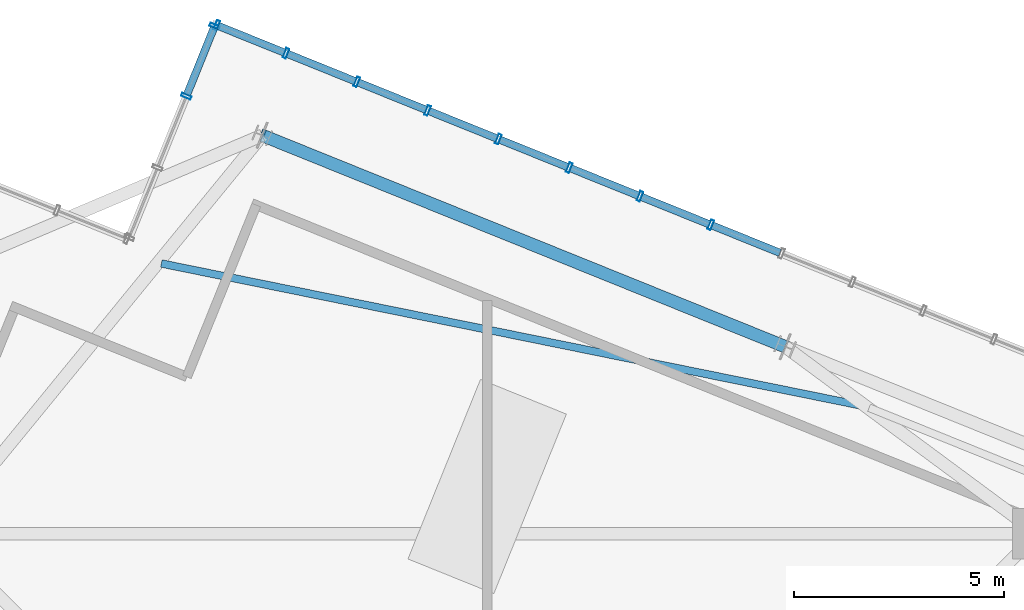
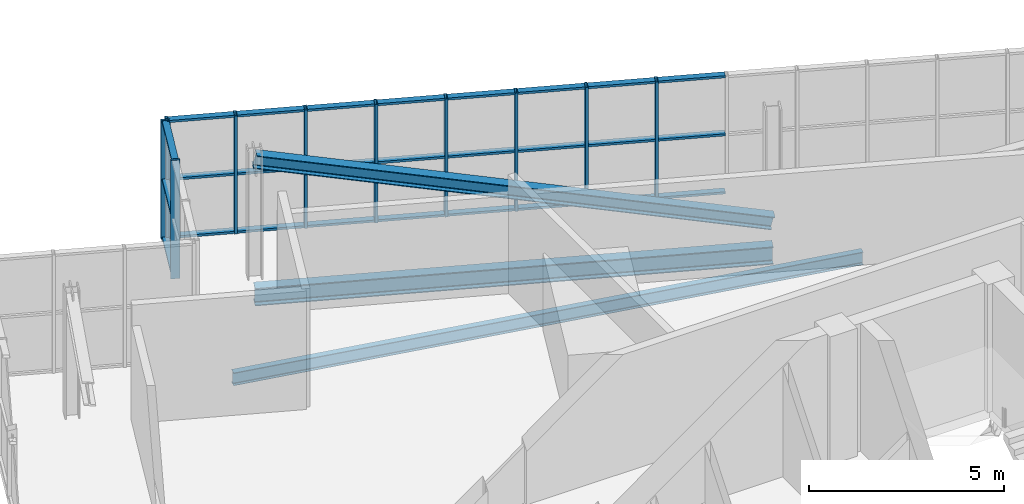
# One storey, part 15 of 26: 38 members, 2 beams, 2 elements without a shape of their own.
"""IFC4 building model written with IfcOpenShell, lengths in metres."""

from ifc_helpers import new_model, si_unit, direction, frame, origin, origin_2d, place, context, subcontext, project, spatial, hollow_rectangle, i_section, extrude, source, transform, mapped, material, layer, layer_set, material_profile, profile_set, type_object, element, aggregate, save


model = new_model("IFC4")

# Units and contexts
model_context = context("Model", 3, precision=1e-05, world=origin(), true_north=direction((0.0, 1.0)))
body_context = subcontext(model_context, "Body", "Model", "MODEL_VIEW")
ifc_project = project(units=[si_unit("LENGTHUNIT", "METRE"), si_unit("AREAUNIT", "SQUARE_METRE"), si_unit("VOLUMEUNIT", "CUBIC_METRE"), si_unit("PLANEANGLEUNIT", "RADIAN"), si_unit("MASSUNIT", "GRAM", prefix="KILO"), si_unit("THERMODYNAMICTEMPERATUREUNIT", "KELVIN")], contexts=[model_context])

# Site, building, storey
site_placement = place(None, origin())
site = spatial("IfcSite", under=ifc_project, at=site_placement, CompositionType="ELEMENT")
building_placement = place(site_placement, origin())
building = spatial("IfcBuilding", under=site, at=building_placement, Name="Kosmvard Interchange Tower", CompositionType="ELEMENT")
storey_placement = place(building_placement, frame((0.0, 0.0, 325.60009765625)))
storey = spatial("IfcBuildingStorey", under=building, at=storey_placement, Name="L80", CompositionType="ELEMENT", Elevation=325.60009765625)

# Member
ifc_material_1 = material(Name="Steel S355", Category="steel")
ifc_material_profile_1 = material_profile(ifc_material_1, i_section(OverallWidth=0.300048828125, OverallDepth=0.39990234375, WebThickness=0.013427734375, FlangeThickness=0.02392578125, FilletRadius=0.027099609375, at=origin_2d()), Name="HEB 400")
ifc_profile_set_1 = profile_set([ifc_material_profile_1], Name="Steel S355")
member_type_1 = type_object("IfcMemberType", Name="Lantern Crown Diagrid Brace HEB 400 S355", PredefinedType="BRACE", material=ifc_profile_set_1)
shared_shape_1 = source(origin(), body_context, "Body", "SweptSolid", [
    extrude(i_section(OverallWidth=0.300048828125, OverallDepth=0.39990234375, WebThickness=0.013427734375, FlangeThickness=0.02392578125, FilletRadius=0.027099609375, at=origin_2d()), origin(), (0.0, 0.0, 1.0), 13.783935546875),
])
member_1_placement = place(storey_placement, frame((7.080078125, 17.523681640625, 0.419921875), z_axis=(-0.901367558742, 0.364177999122, 0.234330768366), x_axis=(-0.374608243744, -0.927183187789, 0.0)))
element("IfcMember", 1, at=member_1_placement, inside=storey, type_object=member_type_1, Name="L80 Crown Lantern Diagrid Brace E2", PredefinedType="BRACE", context=body_context, shape_type="MappedRepresentation", body=[
    mapped(shared_shape_1, transform((0.0, 0.0, 0.0), scale=1.0)),
])

# Beams
ifc_material_profile_2 = material_profile(ifc_material_1, i_section(OverallWidth=0.300048828125, OverallDepth=0.550048828125, WebThickness=0.014892578125, FlangeThickness=0.029052734375, FilletRadius=0.027099609375, at=origin_2d()), Name="HEB 550")
ifc_profile_set_2 = profile_set([ifc_material_profile_2], Name="Steel S355")
beam_type_1 = type_object("IfcBeamType", Name="Crown Ring Cap Girder HEB 550 S355", PredefinedType="BEAM", material=ifc_profile_set_2)
shared_shape_2 = source(origin(), body_context, "Body", "SweptSolid", [
    extrude(i_section(OverallWidth=0.300048828125, OverallDepth=0.550048828125, WebThickness=0.014892578125, FlangeThickness=0.029052734375, FilletRadius=0.027099609375, at=origin_2d()), origin(), (0.0, 0.0, 1.0), 13.400146484375),
])
beam_1_placement = place(storey_placement, frame((7.080078125, 17.523681640625, -0.5751953125), z_axis=(-0.927183187789, 0.374608243744, 0.0), x_axis=(-0.374608243744, -0.927183187789, 0.0)))
element("IfcBeam", 2, at=beam_1_placement, inside=storey, type_object=beam_type_1, Name="BM-L80-PR05", PredefinedType="BEAM", context=body_context, shape_type="MappedRepresentation", body=[
    mapped(shared_shape_2, transform((0.0, 0.0, 0.0), scale=1.0)),
])
ifc_material_profile_3 = material_profile(ifc_material_1, i_section(OverallWidth=0.179931640625, OverallDepth=0.39990234375, WebThickness=0.008544921875, FlangeThickness=0.013427734375, FilletRadius=0.02099609375, at=origin_2d()), Name="IPE 400")
ifc_profile_set_3 = profile_set([ifc_material_profile_3], Name="Steel S355")
beam_type_2 = type_object("IfcBeamType", Name="Upper-Zone Floor Joist IPE 400 S355", PredefinedType="JOIST", material=ifc_profile_set_3)
shared_shape_3 = source(origin(), body_context, "Body", "SweptSolid", [
    extrude(i_section(OverallWidth=0.179931640625, OverallDepth=0.39990234375, WebThickness=0.008544921875, FlangeThickness=0.013427734375, FilletRadius=0.02099609375, at=origin_2d()), origin(), (0.0, 0.0, 1.0), 17.0029296875),
])
beam_2_placement = place(storey_placement, frame((8.921875, 16.117919921875, -0.5), z_axis=(-0.98002341059, 0.198882162837, 0.0), x_axis=(-0.198882162837, -0.98002341059, 0.0)))
element("IfcBeam", 3, at=beam_2_placement, inside=storey, type_object=beam_type_2, Name="BM-L80-FJ04", PredefinedType="JOIST", context=body_context, shape_type="MappedRepresentation", body=[
    mapped(shared_shape_3, transform((0.0, 0.0, 0.0), scale=1.0)),
])

# Curtain wall, members
ifc_material_2 = material(Name="Architectural anodised aluminium", Category="aluminium")
ifc_layer = layer(ifc_material_2, 0.25, Name="Architectural anodised aluminium")
ifc_layer_set = layer_set([ifc_layer], Name="Architectural anodised aluminium")
curtain_wall_type = type_object("IfcCurtainWallType", Name="CW-6 Illuminated Crown Lantern Curtain Wall", PredefinedType="NOTDEFINED", material=ifc_layer_set)
curtain_wall_1_placement = place(storey_placement, origin())
curtain_wall_1 = element("IfcCurtainWall", 4, at=curtain_wall_1_placement, inside=storey, type_object=curtain_wall_type, Name="L80 Crown Lantern Glazing Face 04", PredefinedType="NOTDEFINED")
ifc_material_profile_4 = material_profile(ifc_material_2, hollow_rectangle(XDim=0.239990234375, YDim=0.080078125, WallThickness=0.006103515625, at=origin_2d()), Name="CWM 240x80x6")
ifc_profile_set_4 = profile_set([ifc_material_profile_4], Name="Architectural anodised aluminium")
member_type_2 = type_object("IfcMemberType", Name="Lantern & Observation CW Mullion 240x80 Aluminium", PredefinedType="MULLION", material=ifc_profile_set_4)
shared_shape_4 = source(origin(), body_context, "Body", "SweptSolid", [
    extrude(hollow_rectangle(XDim=0.239990234375, YDim=0.080078125, WallThickness=0.006103515625, at=origin_2d()), origin(), (0.0, 0.0, 1.0), 3.699951171875),
])
member_2_placement = place(storey_placement, frame((5.313720703125, 20.416015625, 0.0), z_axis=(0.0, 0.0, 1.0), x_axis=(-0.374606584758, -0.927183858065, 0.0)))
member_2 = element("IfcMember", 5, at=member_2_placement, type_object=member_type_2, Name="CW-6 mullion 11", PredefinedType="MULLION", context=body_context, shape_type="MappedRepresentation", body=[
    mapped(shared_shape_4, transform((0.0, 0.0, 0.0), scale=1.0)),
])
member_3_placement = place(storey_placement, frame((3.6318359375, 21.095703125, 0.0), z_axis=(0.0, 0.0, 1.0), x_axis=(-0.374606584758, -0.927183858065, 0.0)))
member_3 = element("IfcMember", 6, at=member_3_placement, type_object=member_type_2, Name="CW-6 mullion 12", PredefinedType="MULLION", context=body_context, shape_type="MappedRepresentation", body=[
    mapped(shared_shape_4, transform((0.0, 0.0, 0.0), scale=1.0)),
])
member_4_placement = place(storey_placement, frame((1.94970703125, 21.775146484375, 0.0), z_axis=(0.0, 0.0, 1.0), x_axis=(-0.374606584758, -0.927183858065, 0.0)))
member_4 = element("IfcMember", 7, at=member_4_placement, type_object=member_type_2, Name="CW-6 mullion 13", PredefinedType="MULLION", context=body_context, shape_type="MappedRepresentation", body=[
    mapped(shared_shape_4, transform((0.0, 0.0, 0.0), scale=1.0)),
])
member_5_placement = place(storey_placement, frame((0.267578125, 22.454833984375, 0.0), z_axis=(0.0, 0.0, 1.0), x_axis=(-0.374606584758, -0.927183858065, 0.0)))
member_5 = element("IfcMember", 8, at=member_5_placement, type_object=member_type_2, Name="CW-6 mullion 14", PredefinedType="MULLION", context=body_context, shape_type="MappedRepresentation", body=[
    mapped(shared_shape_4, transform((0.0, 0.0, 0.0), scale=1.0)),
])
member_6_placement = place(storey_placement, frame((-1.414306640625, 23.13427734375, 0.0), z_axis=(0.0, 0.0, 1.0), x_axis=(-0.374606584758, -0.927183858065, 0.0)))
member_6 = element("IfcMember", 9, at=member_6_placement, type_object=member_type_2, Name="CW-6 mullion 15", PredefinedType="MULLION", context=body_context, shape_type="MappedRepresentation", body=[
    mapped(shared_shape_4, transform((0.0, 0.0, 0.0), scale=1.0)),
])
member_7_placement = place(storey_placement, frame((-3.096435546875, 23.81396484375, 0.0), z_axis=(0.0, 0.0, 1.0), x_axis=(-0.374606584758, -0.927183858065, 0.0)))
member_7 = element("IfcMember", 10, at=member_7_placement, type_object=member_type_2, Name="CW-6 mullion 16", PredefinedType="MULLION", context=body_context, shape_type="MappedRepresentation", body=[
    mapped(shared_shape_4, transform((0.0, 0.0, 0.0), scale=1.0)),
])
member_8_placement = place(storey_placement, frame((-4.7783203125, 24.49365234375, 0.0), z_axis=(0.0, 0.0, 1.0), x_axis=(-0.374606584758, -0.927183858065, 0.0)))
member_8 = element("IfcMember", 11, at=member_8_placement, type_object=member_type_2, Name="CW-6 mullion 17", PredefinedType="MULLION", context=body_context, shape_type="MappedRepresentation", body=[
    mapped(shared_shape_4, transform((0.0, 0.0, 0.0), scale=1.0)),
])
member_9_placement = place(storey_placement, frame((-6.42333984375, 25.158203125, 0.0), z_axis=(0.0, 0.0, 1.0), x_axis=(-0.374606584758, -0.927183858065, 0.0)))
member_9 = element("IfcMember", 12, at=member_9_placement, type_object=member_type_2, Name="CW-6 mullion 18", PredefinedType="MULLION", context=body_context, shape_type="MappedRepresentation", body=[
    mapped(shared_shape_4, transform((0.0, 0.0, 0.0), scale=1.0)),
])

curtain_wall_2_placement = place(storey_placement, origin())
curtain_wall_2 = element("IfcCurtainWall", 13, at=curtain_wall_2_placement, inside=storey, type_object=curtain_wall_type, Name="L80 Crown Lantern Glazing Face 05", PredefinedType="NOTDEFINED")
member_10_placement = place(storey_placement, frame((-6.475341796875, 25.135986328125, 0.0), z_axis=(0.0, 0.0, 1.0), x_axis=(0.92718386612, -0.374606564822, 0.0)))
member_10 = element("IfcMember", 14, at=member_10_placement, type_object=member_type_2, Name="CW-6 mullion 1", PredefinedType="MULLION", context=body_context, shape_type="MappedRepresentation", body=[
    mapped(shared_shape_4, transform((0.0, 0.0, 0.0), scale=1.0)),
])
member_11_placement = place(storey_placement, frame((-7.147216796875, 23.473388671875, 0.0), z_axis=(0.0, 0.0, 1.0), x_axis=(0.92718386612, -0.374606564822, 0.0)))
member_11 = element("IfcMember", 15, at=member_11_placement, type_object=member_type_2, Name="CW-6 mullion 2", PredefinedType="MULLION", context=body_context, shape_type="MappedRepresentation", body=[
    mapped(shared_shape_4, transform((0.0, 0.0, 0.0), scale=1.0)),
])

# Member
ifc_material_profile_5 = material_profile(ifc_material_2, hollow_rectangle(XDim=0.179931640625, YDim=0.070068359375, WallThickness=0.0048828125, at=origin_2d()), Name="CWT 180x70x5")
ifc_profile_set_5 = profile_set([ifc_material_profile_5], Name="Architectural anodised aluminium")
member_type_3 = type_object("IfcMemberType", Name="Heavy Lantern CW Transom 180x70 Aluminium", PredefinedType="USERDEFINED", material=ifc_profile_set_5)
shared_shape_5 = source(origin(), body_context, "Body", "SweptSolid", [
    extrude(hollow_rectangle(XDim=0.179931640625, YDim=0.070068359375, WallThickness=0.0048828125, at=origin_2d()), origin(), (0.0, 0.0, 1.0), 1.694091796875),
])
member_12_placement = place(storey_placement, frame((-4.8154296875, 24.508544921875, 0.034912109375), z_axis=(-0.927209116514, 0.374544061831, 0.0), x_axis=(-0.374544061831, -0.927209116514, 0.0)))
member_12 = element("IfcMember", 16, at=member_12_placement, type_object=member_type_3, Name="CW-6 transom 17.1", ObjectType="TRANSOM", PredefinedType="USERDEFINED", context=body_context, shape_type="MappedRepresentation", body=[
    mapped(shared_shape_5, transform((0.0, 0.0, 0.0), scale=1.0)),
])

member_13_placement = place(storey_placement, frame((-4.8154296875, 24.508544921875, 1.849853515625), z_axis=(-0.927209116514, 0.374544061831, 0.0), x_axis=(-0.374544061831, -0.927209116514, 0.0)))
member_13 = element("IfcMember", 17, at=member_13_placement, type_object=member_type_3, Name="CW-6 transom 17.2", ObjectType="TRANSOM", PredefinedType="USERDEFINED", context=body_context, shape_type="MappedRepresentation", body=[
    mapped(shared_shape_5, transform((0.0, 0.0, 0.0), scale=1.0)),
])

member_14_placement = place(storey_placement, frame((-4.8154296875, 24.508544921875, 3.664794921875), z_axis=(-0.927209116514, 0.374544061831, 0.0), x_axis=(-0.374544061831, -0.927209116514, 0.0)))
member_14 = element("IfcMember", 18, at=member_14_placement, type_object=member_type_3, Name="CW-6 transom 17.3", ObjectType="TRANSOM", PredefinedType="USERDEFINED", context=body_context, shape_type="MappedRepresentation", body=[
    mapped(shared_shape_5, transform((0.0, 0.0, 0.0), scale=1.0)),
])

shared_shape_6 = source(origin(), body_context, "Body", "SweptSolid", [
    extrude(hollow_rectangle(XDim=0.179931640625, YDim=0.070068359375, WallThickness=0.0048828125, at=origin_2d()), origin(), (0.0, 0.0, 1.0), 1.734130859375),
])
member_15_placement = place(storey_placement, frame((6.958740234375, 19.75146484375, 0.034912109375), z_axis=(-0.927179782522, 0.374616671924, 0.0), x_axis=(-0.374616671924, -0.927179782522, 0.0)))
member_15 = element("IfcMember", 19, at=member_15_placement, type_object=member_type_3, Name="CW-6 transom 10.1", ObjectType="TRANSOM", PredefinedType="USERDEFINED", context=body_context, shape_type="MappedRepresentation", body=[
    mapped(shared_shape_6, transform((0.0, 0.0, 0.0), scale=1.0)),
])

member_16_placement = place(storey_placement, frame((6.958740234375, 19.75146484375, 1.849853515625), z_axis=(-0.927179782522, 0.374616671924, 0.0), x_axis=(-0.374616671924, -0.927179782522, 0.0)))
member_16 = element("IfcMember", 20, at=member_16_placement, type_object=member_type_3, Name="CW-6 transom 10.2", ObjectType="TRANSOM", PredefinedType="USERDEFINED", context=body_context, shape_type="MappedRepresentation", body=[
    mapped(shared_shape_6, transform((0.0, 0.0, 0.0), scale=1.0)),
])

member_17_placement = place(storey_placement, frame((6.958740234375, 19.75146484375, 3.664794921875), z_axis=(-0.927179782522, 0.374616671924, 0.0), x_axis=(-0.374616671924, -0.927179782522, 0.0)))
member_17 = element("IfcMember", 21, at=member_17_placement, type_object=member_type_3, Name="CW-6 transom 10.3", ObjectType="TRANSOM", PredefinedType="USERDEFINED", context=body_context, shape_type="MappedRepresentation", body=[
    mapped(shared_shape_6, transform((0.0, 0.0, 0.0), scale=1.0)),
])

member_18_placement = place(storey_placement, frame((5.276611328125, 20.43115234375, 0.034912109375), z_axis=(-0.927228675447, 0.374495638732, 0.0), x_axis=(-0.374495638732, -0.927228675447, 0.0)))
member_18 = element("IfcMember", 22, at=member_18_placement, type_object=member_type_3, Name="CW-6 transom 11.1", ObjectType="TRANSOM", PredefinedType="USERDEFINED", context=body_context, shape_type="MappedRepresentation", body=[
    mapped(shared_shape_6, transform((0.0, 0.0, 0.0), scale=1.0)),
])

member_19_placement = place(storey_placement, frame((5.276611328125, 20.43115234375, 1.849853515625), z_axis=(-0.927228675447, 0.374495638732, 0.0), x_axis=(-0.374495638732, -0.927228675447, 0.0)))
member_19 = element("IfcMember", 23, at=member_19_placement, type_object=member_type_3, Name="CW-6 transom 11.2", ObjectType="TRANSOM", PredefinedType="USERDEFINED", context=body_context, shape_type="MappedRepresentation", body=[
    mapped(shared_shape_6, transform((0.0, 0.0, 0.0), scale=1.0)),
])

member_20_placement = place(storey_placement, frame((5.276611328125, 20.43115234375, 3.664794921875), z_axis=(-0.927228675447, 0.374495638732, 0.0), x_axis=(-0.374495638732, -0.927228675447, 0.0)))
member_20 = element("IfcMember", 24, at=member_20_placement, type_object=member_type_3, Name="CW-6 transom 11.3", ObjectType="TRANSOM", PredefinedType="USERDEFINED", context=body_context, shape_type="MappedRepresentation", body=[
    mapped(shared_shape_6, transform((0.0, 0.0, 0.0), scale=1.0)),
])

member_21_placement = place(storey_placement, frame((3.5947265625, 21.110595703125, 0.034912109375), z_axis=(-0.927179782522, 0.374616671924, 0.0), x_axis=(-0.374616671924, -0.927179782522, 0.0)))
member_21 = element("IfcMember", 25, at=member_21_placement, type_object=member_type_3, Name="CW-6 transom 12.1", ObjectType="TRANSOM", PredefinedType="USERDEFINED", context=body_context, shape_type="MappedRepresentation", body=[
    mapped(shared_shape_6, transform((0.0, 0.0, 0.0), scale=1.0)),
])

member_22_placement = place(storey_placement, frame((3.5947265625, 21.110595703125, 1.849853515625), z_axis=(-0.927179782522, 0.374616671924, 0.0), x_axis=(-0.374616671924, -0.927179782522, 0.0)))
member_22 = element("IfcMember", 26, at=member_22_placement, type_object=member_type_3, Name="CW-6 transom 12.2", ObjectType="TRANSOM", PredefinedType="USERDEFINED", context=body_context, shape_type="MappedRepresentation", body=[
    mapped(shared_shape_6, transform((0.0, 0.0, 0.0), scale=1.0)),
])

member_23_placement = place(storey_placement, frame((3.5947265625, 21.110595703125, 3.664794921875), z_axis=(-0.927179782522, 0.374616671924, 0.0), x_axis=(-0.374616671924, -0.927179782522, 0.0)))
member_23 = element("IfcMember", 27, at=member_23_placement, type_object=member_type_3, Name="CW-6 transom 12.3", ObjectType="TRANSOM", PredefinedType="USERDEFINED", context=body_context, shape_type="MappedRepresentation", body=[
    mapped(shared_shape_6, transform((0.0, 0.0, 0.0), scale=1.0)),
])

member_24_placement = place(storey_placement, frame((1.91259765625, 21.790283203125, 0.034912109375), z_axis=(-0.927228675447, 0.374495638732, 0.0), x_axis=(-0.374495638732, -0.927228675447, 0.0)))
member_24 = element("IfcMember", 28, at=member_24_placement, type_object=member_type_3, Name="CW-6 transom 13.1", ObjectType="TRANSOM", PredefinedType="USERDEFINED", context=body_context, shape_type="MappedRepresentation", body=[
    mapped(shared_shape_6, transform((0.0, 0.0, 0.0), scale=1.0)),
])

member_25_placement = place(storey_placement, frame((1.91259765625, 21.790283203125, 1.849853515625), z_axis=(-0.927228675447, 0.374495638732, 0.0), x_axis=(-0.374495638732, -0.927228675447, 0.0)))
member_25 = element("IfcMember", 29, at=member_25_placement, type_object=member_type_3, Name="CW-6 transom 13.2", ObjectType="TRANSOM", PredefinedType="USERDEFINED", context=body_context, shape_type="MappedRepresentation", body=[
    mapped(shared_shape_6, transform((0.0, 0.0, 0.0), scale=1.0)),
])

member_26_placement = place(storey_placement, frame((1.91259765625, 21.790283203125, 3.664794921875), z_axis=(-0.927228675447, 0.374495638732, 0.0), x_axis=(-0.374495638732, -0.927228675447, 0.0)))
member_26 = element("IfcMember", 30, at=member_26_placement, type_object=member_type_3, Name="CW-6 transom 13.3", ObjectType="TRANSOM", PredefinedType="USERDEFINED", context=body_context, shape_type="MappedRepresentation", body=[
    mapped(shared_shape_6, transform((0.0, 0.0, 0.0), scale=1.0)),
])

member_27_placement = place(storey_placement, frame((-1.451416015625, 23.1494140625, 0.034912109375), z_axis=(-0.927179782522, 0.374616671924, 0.0), x_axis=(-0.374616671924, -0.927179782522, 0.0)))
member_27 = element("IfcMember", 31, at=member_27_placement, type_object=member_type_3, Name="CW-6 transom 15.1", ObjectType="TRANSOM", PredefinedType="USERDEFINED", context=body_context, shape_type="MappedRepresentation", body=[
    mapped(shared_shape_6, transform((0.0, 0.0, 0.0), scale=1.0)),
])

member_28_placement = place(storey_placement, frame((-1.451416015625, 23.1494140625, 1.849853515625), z_axis=(-0.927179782522, 0.374616671924, 0.0), x_axis=(-0.374616671924, -0.927179782522, 0.0)))
member_28 = element("IfcMember", 32, at=member_28_placement, type_object=member_type_3, Name="CW-6 transom 15.2", ObjectType="TRANSOM", PredefinedType="USERDEFINED", context=body_context, shape_type="MappedRepresentation", body=[
    mapped(shared_shape_6, transform((0.0, 0.0, 0.0), scale=1.0)),
])

member_29_placement = place(storey_placement, frame((-1.451416015625, 23.1494140625, 3.664794921875), z_axis=(-0.927179782522, 0.374616671924, 0.0), x_axis=(-0.374616671924, -0.927179782522, 0.0)))
member_29 = element("IfcMember", 33, at=member_29_placement, type_object=member_type_3, Name="CW-6 transom 15.3", ObjectType="TRANSOM", PredefinedType="USERDEFINED", context=body_context, shape_type="MappedRepresentation", body=[
    mapped(shared_shape_6, transform((0.0, 0.0, 0.0), scale=1.0)),
])

shared_shape_7 = source(origin(), body_context, "Body", "SweptSolid", [
    extrude(hollow_rectangle(XDim=0.179931640625, YDim=0.070068359375, WallThickness=0.0048828125, at=origin_2d()), origin(), (0.0, 0.0, 1.0), 1.73388671875),
])
member_30_placement = place(storey_placement, frame((0.23046875, 22.4697265625, 0.034912109375), z_axis=(-0.927160021861, 0.374665576032, 0.0), x_axis=(-0.374665576032, -0.927160021861, 0.0)))
member_30 = element("IfcMember", 34, at=member_30_placement, type_object=member_type_3, Name="CW-6 transom 14.1", ObjectType="TRANSOM", PredefinedType="USERDEFINED", context=body_context, shape_type="MappedRepresentation", body=[
    mapped(shared_shape_7, transform((0.0, 0.0, 0.0), scale=1.0)),
])

member_31_placement = place(storey_placement, frame((0.23046875, 22.4697265625, 1.849853515625), z_axis=(-0.927160021861, 0.374665576032, 0.0), x_axis=(-0.374665576032, -0.927160021861, 0.0)))
member_31 = element("IfcMember", 35, at=member_31_placement, type_object=member_type_3, Name="CW-6 transom 14.2", ObjectType="TRANSOM", PredefinedType="USERDEFINED", context=body_context, shape_type="MappedRepresentation", body=[
    mapped(shared_shape_7, transform((0.0, 0.0, 0.0), scale=1.0)),
])

member_32_placement = place(storey_placement, frame((0.23046875, 22.4697265625, 3.664794921875), z_axis=(-0.927160021861, 0.374665576032, 0.0), x_axis=(-0.374665576032, -0.927160021861, 0.0)))
member_32 = element("IfcMember", 36, at=member_32_placement, type_object=member_type_3, Name="CW-6 transom 14.3", ObjectType="TRANSOM", PredefinedType="USERDEFINED", context=body_context, shape_type="MappedRepresentation", body=[
    mapped(shared_shape_7, transform((0.0, 0.0, 0.0), scale=1.0)),
])

member_33_placement = place(storey_placement, frame((-3.133544921875, 23.828857421875, 0.034912109375), z_axis=(-0.927160021861, 0.374665576032, 0.0), x_axis=(-0.374665576032, -0.927160021861, 0.0)))
member_33 = element("IfcMember", 37, at=member_33_placement, type_object=member_type_3, Name="CW-6 transom 16.1", ObjectType="TRANSOM", PredefinedType="USERDEFINED", context=body_context, shape_type="MappedRepresentation", body=[
    mapped(shared_shape_7, transform((0.0, 0.0, 0.0), scale=1.0)),
])

member_34_placement = place(storey_placement, frame((-3.133544921875, 23.828857421875, 1.849853515625), z_axis=(-0.927160021861, 0.374665576032, 0.0), x_axis=(-0.374665576032, -0.927160021861, 0.0)))
member_34 = element("IfcMember", 38, at=member_34_placement, type_object=member_type_3, Name="CW-6 transom 16.2", ObjectType="TRANSOM", PredefinedType="USERDEFINED", context=body_context, shape_type="MappedRepresentation", body=[
    mapped(shared_shape_7, transform((0.0, 0.0, 0.0), scale=1.0)),
])

member_35_placement = place(storey_placement, frame((-3.133544921875, 23.828857421875, 3.664794921875), z_axis=(-0.927160021861, 0.374665576032, 0.0), x_axis=(-0.374665576032, -0.927160021861, 0.0)))
member_35 = element("IfcMember", 39, at=member_35_placement, type_object=member_type_3, Name="CW-6 transom 16.3", ObjectType="TRANSOM", PredefinedType="USERDEFINED", context=body_context, shape_type="MappedRepresentation", body=[
    mapped(shared_shape_7, transform((0.0, 0.0, 0.0), scale=1.0)),
])

aggregate(curtain_wall_1, [member_2, member_3, member_4, member_5, member_6, member_7, member_8, member_9, member_15, member_16, member_17, member_18, member_19, member_20, member_21, member_22, member_23, member_24, member_25, member_26, member_30, member_31, member_32, member_27, member_28, member_29, member_33, member_34, member_35, member_12, member_13, member_14])

shared_shape_8 = source(origin(), body_context, "Body", "SweptSolid", [
    extrude(hollow_rectangle(XDim=0.179931640625, YDim=0.070068359375, WallThickness=0.0048828125, at=origin_2d()), origin(), (0.0, 0.0, 1.0), 1.71337890625),
])
member_36_placement = place(storey_placement, frame((-6.490478515625, 25.098876953125, 0.034912109375), z_axis=(-0.374484254265, -0.927233273404, 0.0), x_axis=(0.927233273404, -0.374484254265, 0.0)))
member_36 = element("IfcMember", 40, at=member_36_placement, type_object=member_type_3, Name="CW-6 transom 1.1", ObjectType="TRANSOM", PredefinedType="USERDEFINED", context=body_context, shape_type="MappedRepresentation", body=[
    mapped(shared_shape_8, transform((0.0, 0.0, 0.0), scale=1.0)),
])

member_37_placement = place(storey_placement, frame((-6.490478515625, 25.098876953125, 1.849853515625), z_axis=(-0.374484254265, -0.927233273404, 0.0), x_axis=(0.927233273404, -0.374484254265, 0.0)))
member_37 = element("IfcMember", 41, at=member_37_placement, type_object=member_type_3, Name="CW-6 transom 1.2", ObjectType="TRANSOM", PredefinedType="USERDEFINED", context=body_context, shape_type="MappedRepresentation", body=[
    mapped(shared_shape_8, transform((0.0, 0.0, 0.0), scale=1.0)),
])

member_38_placement = place(storey_placement, frame((-6.490478515625, 25.098876953125, 3.664794921875), z_axis=(-0.374484254265, -0.927233273404, 0.0), x_axis=(0.927233273404, -0.374484254265, 0.0)))
member_38 = element("IfcMember", 42, at=member_38_placement, type_object=member_type_3, Name="CW-6 transom 1.3", ObjectType="TRANSOM", PredefinedType="USERDEFINED", context=body_context, shape_type="MappedRepresentation", body=[
    mapped(shared_shape_8, transform((0.0, 0.0, 0.0), scale=1.0)),
])

aggregate(curtain_wall_2, [member_10, member_11, member_36, member_37, member_38])

save(model, "model.ifc")
